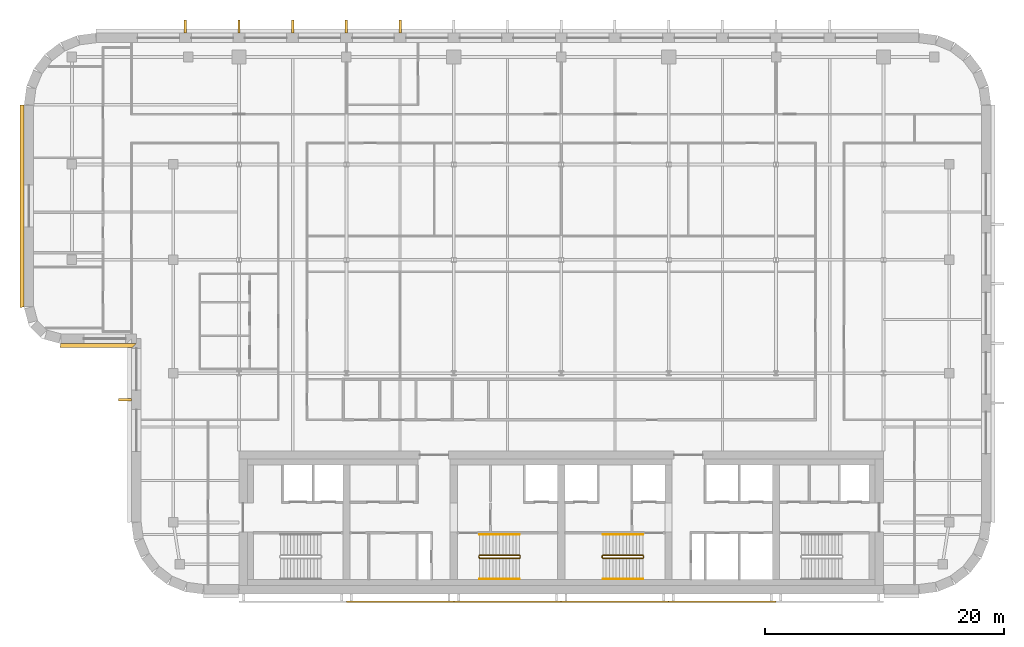
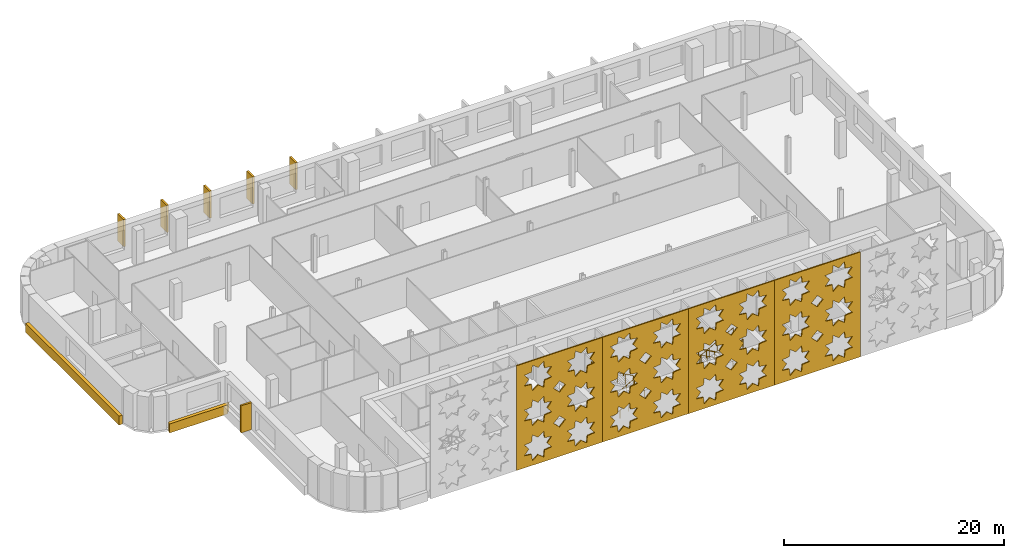
# One storey, part 15 of 18: 12 coverings, 6 railings.
"""IFC4 building model written with IfcOpenShell, lengths in metres."""

from ifc_helpers import new_model, si_unit, direction, frame, origin, origin_2d, place, context, subcontext, project, spatial, polyline, circle, outline, extrude, material, layer, layer_set, type_object, element, save


model = new_model("IFC4")

# Units and contexts
model_context = context("Model", 3, precision=1e-05, world=origin(), true_north=direction((0.0, 1.0)))
body_context = subcontext(model_context, "Body", "Model", "MODEL_VIEW")
ifc_project = project(units=[si_unit("LENGTHUNIT", "METRE"), si_unit("AREAUNIT", "SQUARE_METRE"), si_unit("VOLUMEUNIT", "CUBIC_METRE"), si_unit("PLANEANGLEUNIT", "RADIAN"), si_unit("MASSUNIT", "GRAM", prefix="KILO")], contexts=[model_context])

# Site, building, storey
site_placement = place(None, origin())
site = spatial("IfcSite", under=ifc_project, at=site_placement, CompositionType="ELEMENT")
building_placement = place(site_placement, origin())
building = spatial("IfcBuilding", under=site, at=building_placement, Name="Zellij Exchange Tower", CompositionType="ELEMENT")
storey_placement = place(building_placement, frame((0.0, 0.0, 240.5)))
storey = spatial("IfcBuildingStorey", under=building, at=storey_placement, Name="L56", CompositionType="ELEMENT", Elevation=240.5)

# Railings
ifc_material_1 = material(Name="Stainless steel", Category="steel")
railing_type_1 = type_object("IfcRailingType", Name="CORE-RG stair guard", PredefinedType="GUARDRAIL", material=ifc_material_1)
railing_1_placement = place(storey_placement, frame((-6.89990234375, -10.949951171875, 0.0)))
element("IfcRailing", 1, at=railing_1_placement, inside=storey, type_object=railing_type_1, Name="ST2 stair guard L56", PredefinedType="GUARDRAIL", context=body_context, shape_type="SweptSolid", body=[
    extrude(circle(Radius=0.02392578125, at=origin_2d()), frame((0.0, 0.0, 1.076171875), z_axis=(0.0, 1.0, 0.0), x_axis=(-1.0, 0.0, 0.0)), (0.0, 0.0, 1.0), 0.14990234375),
    extrude(circle(Radius=0.02392578125, at=origin_2d()), frame((0.0, 0.14990234375, 1.076171875), z_axis=(0.193691321961, -0.777613689637, 0.598164376644), x_axis=(0.970351222016, 0.241699205484, 0.0)), (0.0, 0.0, 1.0), 0.257080078125),
    extrude(circle(Radius=0.02392578125, at=origin_2d()), frame((0.0498046875, -0.050048828125, 1.22998046875), z_axis=(0.876421534553, 0.0, 0.481544695509), x_axis=(0.0, 1.0, 0.0)), (0.0, 0.0, 1.0), 3.833984375),
    extrude(circle(Radius=0.02392578125, at=origin_2d()), frame((3.409912109375, -0.050048828125, 3.076171875), z_axis=(0.707106781187, 0.707106781187, 0.0), x_axis=(-0.707106781187, 0.707106781187, 0.0)), (0.0, 0.0, 1.0), 0.07080078125),
    extrude(circle(Radius=0.02392578125, at=origin_2d()), frame((3.4599609375, 0.0, 3.076171875), z_axis=(0.0, 1.0, 0.0), x_axis=(-1.0, 0.0, 0.0)), (0.0, 0.0, 1.0), 0.14990234375),
    extrude(circle(Radius=0.02392578125, at=origin_2d()), frame((3.4599609375, 0.14990234375, 3.076171875), z_axis=(-0.295599637079, 0.295599637079, 0.908428152975), x_axis=(-0.707106781187, -0.707106781187, 0.0)), (0.0, 0.0, 1.0), 0.16943359375),
    extrude(circle(Radius=0.02392578125, at=origin_2d()), frame((3.409912109375, 0.199951171875, 3.22998046875), z_axis=(-0.876421534553, 0.0, 0.481544695509), x_axis=(0.0, -1.0, 0.0)), (0.0, 0.0, 1.0), 3.833984375),
    extrude(circle(Radius=0.02099609375, at=origin_2d()), origin(), (0.0, 0.0, 1.0), 1.052001953125),
    extrude(circle(Radius=0.02099609375, at=origin_2d()), frame((0.0, 0.14990234375, 0.0)), (0.0, 0.0, 1.0), 1.052001953125),
    extrude(circle(Radius=0.02099609375, at=origin_2d()), frame((0.0498046875, -0.050048828125, 0.15380859375)), (0.0, 0.0, 1.0), 1.052001953125),
    extrude(circle(Radius=0.02099609375, at=origin_2d()), frame((0.889892578125, -0.050048828125, 0.615234375)), (0.0, 0.0, 1.0), 1.052001953125),
    extrude(circle(Radius=0.02099609375, at=origin_2d()), frame((1.72998046875, -0.050048828125, 1.076904296875)), (0.0, 0.0, 1.0), 1.052001953125),
    extrude(circle(Radius=0.02099609375, at=origin_2d()), frame((2.56982421875, -0.050048828125, 1.53857421875)), (0.0, 0.0, 1.0), 1.052001953125),
    extrude(circle(Radius=0.02099609375, at=origin_2d()), frame((3.409912109375, -0.050048828125, 2.0)), (0.0, 0.0, 1.0), 1.052001953125),
    extrude(circle(Radius=0.02099609375, at=origin_2d()), frame((3.4599609375, 0.0, 2.0)), (0.0, 0.0, 1.0), 1.052001953125),
    extrude(circle(Radius=0.02099609375, at=origin_2d()), frame((3.4599609375, 0.14990234375, 2.0)), (0.0, 0.0, 1.0), 1.052001953125),
    extrude(circle(Radius=0.02099609375, at=origin_2d()), frame((3.409912109375, 0.199951171875, 2.15380859375)), (0.0, 0.0, 1.0), 1.052001953125),
    extrude(circle(Radius=0.02099609375, at=origin_2d()), frame((2.56982421875, 0.199951171875, 2.615234375)), (0.0, 0.0, 1.0), 1.052001953125),
    extrude(circle(Radius=0.02099609375, at=origin_2d()), frame((1.72998046875, 0.199951171875, 3.076904296875)), (0.0, 0.0, 1.0), 1.052001953125),
    extrude(circle(Radius=0.02099609375, at=origin_2d()), frame((0.889892578125, 0.199951171875, 3.53857421875)), (0.0, 0.0, 1.0), 1.052001953125),
    extrude(circle(Radius=0.02099609375, at=origin_2d()), frame((0.0498046875, 0.199951171875, 4.0)), (0.0, 0.0, 1.0), 1.052001953125),
])
railing_2_placement = place(storey_placement, frame((6.89990234375, -10.800048828125, 0.0)))
element("IfcRailing", 2, at=railing_2_placement, inside=storey, type_object=railing_type_1, Name="ST3 stair guard L56", PredefinedType="GUARDRAIL", context=body_context, shape_type="SweptSolid", body=[
    extrude(circle(Radius=0.02392578125, at=origin_2d()), frame((0.0, 0.0, 1.076171875), z_axis=(0.0, -1.0, 0.0), x_axis=(1.0, 0.0, 0.0)), (0.0, 0.0, 1.0), 0.14990234375),
    extrude(circle(Radius=0.02392578125, at=origin_2d()), frame((0.0, -0.14990234375, 1.076171875), z_axis=(-0.193691321961, 0.777613689637, 0.598164376644), x_axis=(-0.970351222016, -0.241699205484, 0.0)), (0.0, 0.0, 1.0), 0.257080078125),
    extrude(circle(Radius=0.02392578125, at=origin_2d()), frame((-0.0498046875, 0.050048828125, 1.22998046875), z_axis=(-0.876421534553, 0.0, 0.481544695509), x_axis=(0.0, -1.0, 0.0)), (0.0, 0.0, 1.0), 3.833984375),
    extrude(circle(Radius=0.02392578125, at=origin_2d()), frame((-3.409912109375, 0.050048828125, 3.076171875), z_axis=(-0.707106781187, -0.707106781187, 0.0), x_axis=(0.707106781187, -0.707106781187, 0.0)), (0.0, 0.0, 1.0), 0.07080078125),
    extrude(circle(Radius=0.02392578125, at=origin_2d()), frame((-3.4599609375, 0.0, 3.076171875), z_axis=(0.0, -1.0, 0.0), x_axis=(1.0, 0.0, 0.0)), (0.0, 0.0, 1.0), 0.14990234375),
    extrude(circle(Radius=0.02392578125, at=origin_2d()), frame((-3.4599609375, -0.14990234375, 3.076171875), z_axis=(0.295599637079, -0.295599637079, 0.908428152975), x_axis=(0.707106781187, 0.707106781187, 0.0)), (0.0, 0.0, 1.0), 0.16943359375),
    extrude(circle(Radius=0.02392578125, at=origin_2d()), frame((-3.409912109375, -0.199951171875, 3.22998046875), z_axis=(0.876421534553, 0.0, 0.481544695509), x_axis=(0.0, 1.0, 0.0)), (0.0, 0.0, 1.0), 3.833984375),
    extrude(circle(Radius=0.02099609375, at=origin_2d()), origin(), (0.0, 0.0, 1.0), 1.052001953125),
    extrude(circle(Radius=0.02099609375, at=origin_2d()), frame((0.0, -0.14990234375, 0.0)), (0.0, 0.0, 1.0), 1.052001953125),
    extrude(circle(Radius=0.02099609375, at=origin_2d()), frame((-0.0498046875, 0.050048828125, 0.15380859375)), (0.0, 0.0, 1.0), 1.052001953125),
    extrude(circle(Radius=0.02099609375, at=origin_2d()), frame((-0.889892578125, 0.050048828125, 0.615234375)), (0.0, 0.0, 1.0), 1.052001953125),
    extrude(circle(Radius=0.02099609375, at=origin_2d()), frame((-1.72998046875, 0.050048828125, 1.076904296875)), (0.0, 0.0, 1.0), 1.052001953125),
    extrude(circle(Radius=0.02099609375, at=origin_2d()), frame((-2.56982421875, 0.050048828125, 1.53857421875)), (0.0, 0.0, 1.0), 1.052001953125),
    extrude(circle(Radius=0.02099609375, at=origin_2d()), frame((-3.409912109375, 0.050048828125, 2.0)), (0.0, 0.0, 1.0), 1.052001953125),
    extrude(circle(Radius=0.02099609375, at=origin_2d()), frame((-3.4599609375, 0.0, 2.0)), (0.0, 0.0, 1.0), 1.052001953125),
    extrude(circle(Radius=0.02099609375, at=origin_2d()), frame((-3.4599609375, -0.14990234375, 2.0)), (0.0, 0.0, 1.0), 1.052001953125),
    extrude(circle(Radius=0.02099609375, at=origin_2d()), frame((-3.409912109375, -0.199951171875, 2.15380859375)), (0.0, 0.0, 1.0), 1.052001953125),
    extrude(circle(Radius=0.02099609375, at=origin_2d()), frame((-2.56982421875, -0.199951171875, 2.615234375)), (0.0, 0.0, 1.0), 1.052001953125),
    extrude(circle(Radius=0.02099609375, at=origin_2d()), frame((-1.72998046875, -0.199951171875, 3.076904296875)), (0.0, 0.0, 1.0), 1.052001953125),
    extrude(circle(Radius=0.02099609375, at=origin_2d()), frame((-0.889892578125, -0.199951171875, 3.53857421875)), (0.0, 0.0, 1.0), 1.052001953125),
    extrude(circle(Radius=0.02099609375, at=origin_2d()), frame((-0.0498046875, -0.199951171875, 4.0)), (0.0, 0.0, 1.0), 1.052001953125),
])
railing_type_2 = type_object("IfcRailingType", Name="CORE-RH stair handrail", PredefinedType="HANDRAIL", material=ifc_material_1)
railing_3_placement = place(storey_placement, frame((-6.85009765625, -12.75, 0.15380859375)))
element("IfcRailing", 3, at=railing_3_placement, inside=storey, type_object=railing_type_2, Name="ST2 stair handrail L56", PredefinedType="HANDRAIL", context=body_context, shape_type="SweptSolid", body=[
    extrude(circle(Radius=0.02392578125, at=origin_2d()), frame((0.0, 0.0, 0.8759765625), z_axis=(0.876421534553, 0.0, 0.481544695509), x_axis=(0.0, 1.0, 0.0)), (0.0, 0.0, 1.0), 3.833984375),
    extrude(circle(Radius=0.02099609375, at=origin_2d()), origin(), (0.0, 0.0, 1.0), 0.851806640625),
    extrude(circle(Radius=0.02099609375, at=origin_2d()), frame((0.840087890625, 0.0, 0.46142578125)), (0.0, 0.0, 1.0), 0.851806640625),
    extrude(circle(Radius=0.02099609375, at=origin_2d()), frame((1.68017578125, 0.0, 0.923095703125)), (0.0, 0.0, 1.0), 0.851806640625),
    extrude(circle(Radius=0.02099609375, at=origin_2d()), frame((2.52001953125, 0.0, 1.384765625)), (0.0, 0.0, 1.0), 0.851806640625),
    extrude(circle(Radius=0.02099609375, at=origin_2d()), frame((3.360107421875, 0.0, 1.84619140625)), (0.0, 0.0, 1.0), 0.851806640625),
])
for number, where, name in (
    (4, (-3.489990234375, -9.0, 2.15380859375), "ST2 stair handrail L56"),
    (5, (6.85009765625, -9.0, 0.15380859375), "ST3 stair handrail L56"),
):
    element("IfcRailing", number, at=place(storey_placement, frame(where)), inside=storey, type_object=railing_type_2, Name=name, PredefinedType="HANDRAIL", context=body_context, shape_type="SweptSolid", body=[
        extrude(circle(Radius=0.02392578125, at=origin_2d()), frame((0.0, 0.0, 0.8759765625), z_axis=(-0.876421534553, 0.0, 0.481544695509), x_axis=(0.0, -1.0, 0.0)), (0.0, 0.0, 1.0), 3.833984375),
        extrude(circle(Radius=0.02099609375, at=origin_2d()), origin(), (0.0, 0.0, 1.0), 0.851806640625),
        extrude(circle(Radius=0.02099609375, at=origin_2d()), frame((-0.840087890625, 0.0, 0.46142578125)), (0.0, 0.0, 1.0), 0.851806640625),
        extrude(circle(Radius=0.02099609375, at=origin_2d()), frame((-1.68017578125, 0.0, 0.923095703125)), (0.0, 0.0, 1.0), 0.851806640625),
        extrude(circle(Radius=0.02099609375, at=origin_2d()), frame((-2.52001953125, 0.0, 1.384765625)), (0.0, 0.0, 1.0), 0.851806640625),
        extrude(circle(Radius=0.02099609375, at=origin_2d()), frame((-3.360107421875, 0.0, 1.84619140625)), (0.0, 0.0, 1.0), 0.851806640625),
    ])
railing_4_placement = place(storey_placement, frame((3.489990234375, -12.75, 2.15380859375)))
element("IfcRailing", 6, at=railing_4_placement, inside=storey, type_object=railing_type_2, Name="ST3 stair handrail L56", PredefinedType="HANDRAIL", context=body_context, shape_type="SweptSolid", body=[
    extrude(circle(Radius=0.02392578125, at=origin_2d()), frame((0.0, 0.0, 0.8759765625), z_axis=(0.876421534553, 0.0, 0.481544695509), x_axis=(0.0, 1.0, 0.0)), (0.0, 0.0, 1.0), 3.833984375),
    extrude(circle(Radius=0.02099609375, at=origin_2d()), origin(), (0.0, 0.0, 1.0), 0.851806640625),
    extrude(circle(Radius=0.02099609375, at=origin_2d()), frame((0.840087890625, 0.0, 0.46142578125)), (0.0, 0.0, 1.0), 0.851806640625),
    extrude(circle(Radius=0.02099609375, at=origin_2d()), frame((1.68017578125, 0.0, 0.923095703125)), (0.0, 0.0, 1.0), 0.851806640625),
    extrude(circle(Radius=0.02099609375, at=origin_2d()), frame((2.52001953125, 0.0, 1.384765625)), (0.0, 0.0, 1.0), 0.851806640625),
    extrude(circle(Radius=0.02099609375, at=origin_2d()), frame((3.360107421875, 0.0, 1.84619140625)), (0.0, 0.0, 1.0), 0.851806640625),
])

# Coverings
ifc_material_2 = material(Name="Limestone cladding", Category="masonry")
ifc_layer_1 = layer(ifc_material_2, 0.35009765625)
ifc_layer_set_1 = layer_set([ifc_layer_1], Name="Limestone cladding")
covering_type_1 = type_object("IfcCoveringType", Name="ENV-CV10 Stone spandrel band 350", PredefinedType="CLADDING", material=ifc_layer_set_1)
covering_1_placement = place(storey_placement, frame((0.0, 0.0, -0.199951171875)))
element("IfcCovering", 7, at=covering_1_placement, inside=storey, type_object=covering_type_1, Name="Stone spandrel band", PredefinedType="CLADDING", context=body_context, shape_type="SweptSolid", body=[
    extrude(outline(polyline([(-45.0, 26.973876953125), (-45.0, 10.052734375), (-45.35009765625, 10.006591796875), (-45.35009765625, 26.99658203125), (-45.0, 26.973876953125)])), origin(), (0.0, 0.0, 1.0), 1.0),
])
covering_2_placement = place(storey_placement, frame((0.0, 0.0, -0.199951171875)))
element("IfcCovering", 8, at=covering_2_placement, inside=storey, type_object=covering_type_1, Name="Stone spandrel band", PredefinedType="CLADDING", context=body_context, shape_type="SweptSolid", body=[
    extrude(outline(polyline([(-41.947265625, 7.0), (-35.60009765625, 7.0), (-35.949951171875, 6.64990234375), (-41.993408203125, 6.64990234375), (-41.947265625, 7.0)])), origin(), (0.0, 0.0, 1.0), 1.0),
])
covering_type_2 = type_object("IfcCoveringType", Name="ENV-CV6 Stone pier 200x1100", PredefinedType="CLADDING", material=ifc_material_2)
covering_3_placement = place(storey_placement, frame((0.0, 0.0, 0.800048828125)))
element("IfcCovering", 9, at=covering_3_placement, inside=storey, type_object=covering_type_2, Name="Stone pier", PredefinedType="CLADDING", context=body_context, shape_type="SweptSolid", body=[
    extrude(outline(polyline([(-13.39990234375, 33.0), (-13.60009765625, 33.0), (-13.60009765625, 34.10009765625), (-13.39990234375, 34.10009765625), (-13.39990234375, 33.0)])), origin(), (0.0, 0.0, 1.0), 3.0),
])
covering_4_placement = place(storey_placement, frame((0.0, 0.0, 0.800048828125)))
element("IfcCovering", 10, at=covering_4_placement, inside=storey, type_object=covering_type_2, Name="Stone pier", PredefinedType="CLADDING", context=body_context, shape_type="SweptSolid", body=[
    extrude(outline(polyline([(-17.89990234375, 33.0), (-18.10009765625, 33.0), (-18.10009765625, 34.10009765625), (-17.89990234375, 34.10009765625), (-17.89990234375, 33.0)])), origin(), (0.0, 0.0, 1.0), 3.0),
])
covering_5_placement = place(storey_placement, frame((0.0, 0.0, 0.800048828125)))
element("IfcCovering", 11, at=covering_5_placement, inside=storey, type_object=covering_type_2, Name="Stone pier", PredefinedType="CLADDING", context=body_context, shape_type="SweptSolid", body=[
    extrude(outline(polyline([(-22.39990234375, 33.0), (-22.60009765625, 33.0), (-22.60009765625, 34.10009765625), (-22.39990234375, 34.10009765625), (-22.39990234375, 33.0)])), origin(), (0.0, 0.0, 1.0), 3.0),
])
covering_6_placement = place(storey_placement, frame((0.0, 0.0, 0.800048828125)))
element("IfcCovering", 12, at=covering_6_placement, inside=storey, type_object=covering_type_2, Name="Stone pier", PredefinedType="CLADDING", context=body_context, shape_type="SweptSolid", body=[
    extrude(outline(polyline([(-26.89990234375, 33.0), (-27.10009765625, 33.0), (-27.10009765625, 34.10009765625), (-26.89990234375, 34.10009765625), (-26.89990234375, 33.0)])), origin(), (0.0, 0.0, 1.0), 3.0),
])
covering_7_placement = place(storey_placement, frame((0.0, 0.0, 0.800048828125)))
element("IfcCovering", 13, at=covering_7_placement, inside=storey, type_object=covering_type_2, Name="Stone pier", PredefinedType="CLADDING", context=body_context, shape_type="SweptSolid", body=[
    extrude(outline(polyline([(-31.39990234375, 33.0), (-31.60009765625, 33.0), (-31.60009765625, 34.10009765625), (-31.39990234375, 34.10009765625), (-31.39990234375, 33.0)])), origin(), (0.0, 0.0, 1.0), 3.0),
])
covering_8_placement = place(storey_placement, frame((0.0, 0.0, 0.800048828125)))
element("IfcCovering", 14, at=covering_8_placement, inside=storey, type_object=covering_type_2, Name="Stone pier", PredefinedType="CLADDING", context=body_context, shape_type="SweptSolid", body=[
    extrude(outline(polyline([(-36.0, 2.37548828125), (-36.0, 2.17529296875), (-37.10009765625, 2.17529296875), (-37.10009765625, 2.37548828125), (-36.0, 2.37548828125)])), origin(), (0.0, 0.0, 1.0), 3.0),
])
ifc_material_3 = material(Name="Limestone screen", Category="masonry")
ifc_layer_2 = layer(ifc_material_3, 0.1201171875)
ifc_layer_set_2 = layer_set([ifc_layer_2], Name="Limestone screen")
covering_type_3 = type_object("IfcCoveringType", Name="ENV-SC5 Pierced stone relief 120", PredefinedType="USERDEFINED", material=ifc_layer_set_2)
covering_9_placement = place(storey_placement, frame((-18.0, -14.659912109375, 0.199951171875), z_axis=(0.0, 0.0, 1.0), x_axis=(1.0, 0.0, 0.0)))
element("IfcCovering", 15, at=covering_9_placement, inside=storey, type_object=covering_type_3, Name="Pierced stone relief", ObjectType="SCREEN", PredefinedType="USERDEFINED", context=body_context, shape_type="SweptSolid", body=[
    extrude(outline(polyline([(0.0, 0.0), (9.0, 0.0), (9.0, 11.60009765625), (0.0, 11.60009765625), (0.0, 0.0)]), holes=[polyline([(3.678955078125, 2.525146484375), (2.927978515625, 2.611328125), (2.841796875, 3.3623046875), (2.25, 2.892333984375), (1.658203125, 3.3623046875), (1.572021484375, 2.611328125), (0.821044921875, 2.525146484375), (1.291015625, 1.933349609375), (0.821044921875, 1.34130859375), (1.572021484375, 1.25537109375), (1.658203125, 0.50439453125), (2.25, 0.974365234375), (2.841796875, 0.50439453125), (2.927978515625, 1.25537109375), (3.678955078125, 1.34130859375), (3.208984375, 1.933349609375), (3.678955078125, 2.525146484375)]), polyline([(3.678955078125, 6.391845703125), (2.927978515625, 6.47802734375), (2.841796875, 7.22900390625), (2.25, 6.7587890625), (1.658203125, 7.22900390625), (1.572021484375, 6.47802734375), (0.821044921875, 6.391845703125), (1.291015625, 5.800048828125), (0.821044921875, 5.2080078125), (1.572021484375, 5.121826171875), (1.658203125, 4.37109375), (2.25, 4.841064453125), (2.841796875, 4.37109375), (2.927978515625, 5.121826171875), (3.678955078125, 5.2080078125), (3.208984375, 5.800048828125), (3.678955078125, 6.391845703125)]), polyline([(3.678955078125, 10.258544921875), (2.927978515625, 10.3447265625), (2.841796875, 11.095703125), (2.25, 10.62548828125), (1.658203125, 11.095703125), (1.572021484375, 10.3447265625), (0.821044921875, 10.258544921875), (1.291015625, 9.666748046875), (0.821044921875, 9.07470703125), (1.572021484375, 8.988525390625), (1.658203125, 8.23779296875), (2.25, 8.707763671875), (2.841796875, 8.23779296875), (2.927978515625, 8.988525390625), (3.678955078125, 9.07470703125), (3.208984375, 9.666748046875), (3.678955078125, 10.258544921875)]), polyline([(8.178955078125, 2.525146484375), (7.427978515625, 2.611328125), (7.341796875, 3.3623046875), (6.75, 2.892333984375), (6.158203125, 3.3623046875), (6.072021484375, 2.611328125), (5.321044921875, 2.525146484375), (5.791015625, 1.933349609375), (5.321044921875, 1.34130859375), (6.072021484375, 1.25537109375), (6.158203125, 0.50439453125), (6.75, 0.974365234375), (7.341796875, 0.50439453125), (7.427978515625, 1.25537109375), (8.178955078125, 1.34130859375), (7.708984375, 1.933349609375), (8.178955078125, 2.525146484375)]), polyline([(8.178955078125, 6.391845703125), (7.427978515625, 6.47802734375), (7.341796875, 7.22900390625), (6.75, 6.7587890625), (6.158203125, 7.22900390625), (6.072021484375, 6.47802734375), (5.321044921875, 6.391845703125), (5.791015625, 5.800048828125), (5.321044921875, 5.2080078125), (6.072021484375, 5.121826171875), (6.158203125, 4.37109375), (6.75, 4.841064453125), (7.341796875, 4.37109375), (7.427978515625, 5.121826171875), (8.178955078125, 5.2080078125), (7.708984375, 5.800048828125), (8.178955078125, 6.391845703125)]), polyline([(8.178955078125, 10.258544921875), (7.427978515625, 10.3447265625), (7.341796875, 11.095703125), (6.75, 10.62548828125), (6.158203125, 11.095703125), (6.072021484375, 10.3447265625), (5.321044921875, 10.258544921875), (5.791015625, 9.666748046875), (5.321044921875, 9.07470703125), (6.072021484375, 8.988525390625), (6.158203125, 8.23779296875), (6.75, 8.707763671875), (7.341796875, 8.23779296875), (7.427978515625, 8.988525390625), (8.178955078125, 9.07470703125), (7.708984375, 9.666748046875), (8.178955078125, 10.258544921875)]), polyline([(5.11865234375, 3.86669921875), (4.5, 4.4853515625), (3.88134765625, 3.86669921875), (4.5, 3.248046875), (5.11865234375, 3.86669921875)]), polyline([(5.11865234375, 7.7333984375), (4.5, 8.35205078125), (3.88134765625, 7.7333984375), (4.5, 7.11474609375), (5.11865234375, 7.7333984375)])]), frame((0.0, 0.06005859375, 0.0), z_axis=(0.0, -1.0, 0.0), x_axis=(1.0, 0.0, 0.0)), (0.0, 0.0, 1.0), 0.1201171875),
])
covering_10_placement = place(storey_placement, frame((-9.0, -14.659912109375, 0.199951171875), z_axis=(0.0, 0.0, 1.0), x_axis=(1.0, 0.0, 0.0)))
element("IfcCovering", 16, at=covering_10_placement, inside=storey, type_object=covering_type_3, Name="Pierced stone relief", ObjectType="SCREEN", PredefinedType="USERDEFINED", context=body_context, shape_type="SweptSolid", body=[
    extrude(outline(polyline([(0.0, 0.0), (9.0, 0.0), (9.0, 11.60009765625), (0.0, 11.60009765625), (0.0, 0.0)]), holes=[polyline([(3.678955078125, 2.525146484375), (2.927978515625, 2.611328125), (2.841796875, 3.3623046875), (2.25, 2.892333984375), (1.658203125, 3.3623046875), (1.572021484375, 2.611328125), (0.821044921875, 2.525146484375), (1.291015625, 1.933349609375), (0.821044921875, 1.34130859375), (1.572021484375, 1.25537109375), (1.658203125, 0.50439453125), (2.25, 0.974365234375), (2.841796875, 0.50439453125), (2.927978515625, 1.25537109375), (3.678955078125, 1.34130859375), (3.208984375, 1.933349609375), (3.678955078125, 2.525146484375)]), polyline([(3.678955078125, 6.391845703125), (2.927978515625, 6.47802734375), (2.841796875, 7.22900390625), (2.25, 6.7587890625), (1.658203125, 7.22900390625), (1.572021484375, 6.47802734375), (0.821044921875, 6.391845703125), (1.291015625, 5.800048828125), (0.821044921875, 5.2080078125), (1.572021484375, 5.121826171875), (1.658203125, 4.37109375), (2.25, 4.841064453125), (2.841796875, 4.37109375), (2.927978515625, 5.121826171875), (3.678955078125, 5.2080078125), (3.208984375, 5.800048828125), (3.678955078125, 6.391845703125)]), polyline([(3.678955078125, 10.258544921875), (2.927978515625, 10.3447265625), (2.841796875, 11.095703125), (2.25, 10.62548828125), (1.658203125, 11.095703125), (1.572021484375, 10.3447265625), (0.821044921875, 10.258544921875), (1.291015625, 9.666748046875), (0.821044921875, 9.07470703125), (1.572021484375, 8.988525390625), (1.658203125, 8.23779296875), (2.25, 8.707763671875), (2.841796875, 8.23779296875), (2.927978515625, 8.988525390625), (3.678955078125, 9.07470703125), (3.208984375, 9.666748046875), (3.678955078125, 10.258544921875)]), polyline([(8.178955078125, 2.525146484375), (7.427978515625, 2.611328125), (7.341796875, 3.3623046875), (6.75, 2.892333984375), (6.158203125, 3.3623046875), (6.072021484375, 2.611328125), (5.321044921875, 2.525146484375), (5.791015625, 1.933349609375), (5.321044921875, 1.34130859375), (6.072021484375, 1.25537109375), (6.158203125, 0.50439453125), (6.75, 0.974365234375), (7.341796875, 0.50439453125), (7.427978515625, 1.25537109375), (8.178955078125, 1.34130859375), (7.708984375, 1.933349609375), (8.178955078125, 2.525146484375)]), polyline([(8.178955078125, 6.391845703125), (7.427978515625, 6.47802734375), (7.341796875, 7.22900390625), (6.75, 6.7587890625), (6.158203125, 7.22900390625), (6.072021484375, 6.47802734375), (5.321044921875, 6.391845703125), (5.791015625, 5.800048828125), (5.321044921875, 5.2080078125), (6.072021484375, 5.121826171875), (6.158203125, 4.37109375), (6.75, 4.841064453125), (7.341796875, 4.37109375), (7.427978515625, 5.121826171875), (8.178955078125, 5.2080078125), (7.708984375, 5.800048828125), (8.178955078125, 6.391845703125)]), polyline([(8.178955078125, 10.258544921875), (7.427978515625, 10.3447265625), (7.341796875, 11.095703125), (6.75, 10.62548828125), (6.158203125, 11.095703125), (6.072021484375, 10.3447265625), (5.321044921875, 10.258544921875), (5.791015625, 9.666748046875), (5.321044921875, 9.07470703125), (6.072021484375, 8.988525390625), (6.158203125, 8.23779296875), (6.75, 8.707763671875), (7.341796875, 8.23779296875), (7.427978515625, 8.988525390625), (8.178955078125, 9.07470703125), (7.708984375, 9.666748046875), (8.178955078125, 10.258544921875)]), polyline([(5.11865234375, 3.86669921875), (4.5, 4.4853515625), (3.88134765625, 3.86669921875), (4.5, 3.248046875), (5.11865234375, 3.86669921875)]), polyline([(5.11865234375, 7.7333984375), (4.5, 8.35205078125), (3.88134765625, 7.7333984375), (4.5, 7.11474609375), (5.11865234375, 7.7333984375)])]), frame((0.0, 0.06005859375, 0.0), z_axis=(0.0, -1.0, 0.0), x_axis=(1.0, 0.0, 0.0)), (0.0, 0.0, 1.0), 0.1201171875),
])
covering_11_placement = place(storey_placement, frame((0.0, -14.659912109375, 0.199951171875), z_axis=(0.0, 0.0, 1.0), x_axis=(1.0, 0.0, 0.0)))
element("IfcCovering", 17, at=covering_11_placement, inside=storey, type_object=covering_type_3, Name="Pierced stone relief", ObjectType="SCREEN", PredefinedType="USERDEFINED", context=body_context, shape_type="SweptSolid", body=[
    extrude(outline(polyline([(0.0, 0.0), (9.0, 0.0), (9.0, 11.60009765625), (0.0, 11.60009765625), (0.0, 0.0)]), holes=[polyline([(3.678955078125, 2.525146484375), (2.927978515625, 2.611328125), (2.841796875, 3.3623046875), (2.25, 2.892333984375), (1.658203125, 3.3623046875), (1.572021484375, 2.611328125), (0.821044921875, 2.525146484375), (1.291015625, 1.933349609375), (0.821044921875, 1.34130859375), (1.572021484375, 1.25537109375), (1.658203125, 0.50439453125), (2.25, 0.974365234375), (2.841796875, 0.50439453125), (2.927978515625, 1.25537109375), (3.678955078125, 1.34130859375), (3.208984375, 1.933349609375), (3.678955078125, 2.525146484375)]), polyline([(3.678955078125, 6.391845703125), (2.927978515625, 6.47802734375), (2.841796875, 7.22900390625), (2.25, 6.7587890625), (1.658203125, 7.22900390625), (1.572021484375, 6.47802734375), (0.821044921875, 6.391845703125), (1.291015625, 5.800048828125), (0.821044921875, 5.2080078125), (1.572021484375, 5.121826171875), (1.658203125, 4.37109375), (2.25, 4.841064453125), (2.841796875, 4.37109375), (2.927978515625, 5.121826171875), (3.678955078125, 5.2080078125), (3.208984375, 5.800048828125), (3.678955078125, 6.391845703125)]), polyline([(3.678955078125, 10.258544921875), (2.927978515625, 10.3447265625), (2.841796875, 11.095703125), (2.25, 10.62548828125), (1.658203125, 11.095703125), (1.572021484375, 10.3447265625), (0.821044921875, 10.258544921875), (1.291015625, 9.666748046875), (0.821044921875, 9.07470703125), (1.572021484375, 8.988525390625), (1.658203125, 8.23779296875), (2.25, 8.707763671875), (2.841796875, 8.23779296875), (2.927978515625, 8.988525390625), (3.678955078125, 9.07470703125), (3.208984375, 9.666748046875), (3.678955078125, 10.258544921875)]), polyline([(8.178955078125, 2.525146484375), (7.427978515625, 2.611328125), (7.341796875, 3.3623046875), (6.75, 2.892333984375), (6.158203125, 3.3623046875), (6.072021484375, 2.611328125), (5.321044921875, 2.525146484375), (5.791015625, 1.933349609375), (5.321044921875, 1.34130859375), (6.072021484375, 1.25537109375), (6.158203125, 0.50439453125), (6.75, 0.974365234375), (7.341796875, 0.50439453125), (7.427978515625, 1.25537109375), (8.178955078125, 1.34130859375), (7.708984375, 1.933349609375), (8.178955078125, 2.525146484375)]), polyline([(8.178955078125, 6.391845703125), (7.427978515625, 6.47802734375), (7.341796875, 7.22900390625), (6.75, 6.7587890625), (6.158203125, 7.22900390625), (6.072021484375, 6.47802734375), (5.321044921875, 6.391845703125), (5.791015625, 5.800048828125), (5.321044921875, 5.2080078125), (6.072021484375, 5.121826171875), (6.158203125, 4.37109375), (6.75, 4.841064453125), (7.341796875, 4.37109375), (7.427978515625, 5.121826171875), (8.178955078125, 5.2080078125), (7.708984375, 5.800048828125), (8.178955078125, 6.391845703125)]), polyline([(8.178955078125, 10.258544921875), (7.427978515625, 10.3447265625), (7.341796875, 11.095703125), (6.75, 10.62548828125), (6.158203125, 11.095703125), (6.072021484375, 10.3447265625), (5.321044921875, 10.258544921875), (5.791015625, 9.666748046875), (5.321044921875, 9.07470703125), (6.072021484375, 8.988525390625), (6.158203125, 8.23779296875), (6.75, 8.707763671875), (7.341796875, 8.23779296875), (7.427978515625, 8.988525390625), (8.178955078125, 9.07470703125), (7.708984375, 9.666748046875), (8.178955078125, 10.258544921875)]), polyline([(5.11865234375, 3.86669921875), (4.5, 4.4853515625), (3.88134765625, 3.86669921875), (4.5, 3.248046875), (5.11865234375, 3.86669921875)]), polyline([(5.11865234375, 7.7333984375), (4.5, 8.35205078125), (3.88134765625, 7.7333984375), (4.5, 7.11474609375), (5.11865234375, 7.7333984375)])]), frame((0.0, 0.06005859375, 0.0), z_axis=(0.0, -1.0, 0.0), x_axis=(1.0, 0.0, 0.0)), (0.0, 0.0, 1.0), 0.1201171875),
])
covering_12_placement = place(storey_placement, frame((9.0, -14.659912109375, 0.199951171875), z_axis=(0.0, 0.0, 1.0), x_axis=(1.0, 0.0, 0.0)))
element("IfcCovering", 18, at=covering_12_placement, inside=storey, type_object=covering_type_3, Name="Pierced stone relief", ObjectType="SCREEN", PredefinedType="USERDEFINED", context=body_context, shape_type="SweptSolid", body=[
    extrude(outline(polyline([(0.0, 0.0), (9.0, 0.0), (9.0, 11.60009765625), (0.0, 11.60009765625), (0.0, 0.0)]), holes=[polyline([(3.678955078125, 2.525146484375), (2.927978515625, 2.611328125), (2.841796875, 3.3623046875), (2.25, 2.892333984375), (1.658203125, 3.3623046875), (1.572021484375, 2.611328125), (0.821044921875, 2.525146484375), (1.291015625, 1.933349609375), (0.821044921875, 1.34130859375), (1.572021484375, 1.25537109375), (1.658203125, 0.50439453125), (2.25, 0.974365234375), (2.841796875, 0.50439453125), (2.927978515625, 1.25537109375), (3.678955078125, 1.34130859375), (3.208984375, 1.933349609375), (3.678955078125, 2.525146484375)]), polyline([(3.678955078125, 6.391845703125), (2.927978515625, 6.47802734375), (2.841796875, 7.22900390625), (2.25, 6.7587890625), (1.658203125, 7.22900390625), (1.572021484375, 6.47802734375), (0.821044921875, 6.391845703125), (1.291015625, 5.800048828125), (0.821044921875, 5.2080078125), (1.572021484375, 5.121826171875), (1.658203125, 4.37109375), (2.25, 4.841064453125), (2.841796875, 4.37109375), (2.927978515625, 5.121826171875), (3.678955078125, 5.2080078125), (3.208984375, 5.800048828125), (3.678955078125, 6.391845703125)]), polyline([(3.678955078125, 10.258544921875), (2.927978515625, 10.3447265625), (2.841796875, 11.095703125), (2.25, 10.62548828125), (1.658203125, 11.095703125), (1.572021484375, 10.3447265625), (0.821044921875, 10.258544921875), (1.291015625, 9.666748046875), (0.821044921875, 9.07470703125), (1.572021484375, 8.988525390625), (1.658203125, 8.23779296875), (2.25, 8.707763671875), (2.841796875, 8.23779296875), (2.927978515625, 8.988525390625), (3.678955078125, 9.07470703125), (3.208984375, 9.666748046875), (3.678955078125, 10.258544921875)]), polyline([(8.178955078125, 2.525146484375), (7.427978515625, 2.611328125), (7.341796875, 3.3623046875), (6.75, 2.892333984375), (6.158203125, 3.3623046875), (6.072021484375, 2.611328125), (5.321044921875, 2.525146484375), (5.791015625, 1.933349609375), (5.321044921875, 1.34130859375), (6.072021484375, 1.25537109375), (6.158203125, 0.50439453125), (6.75, 0.974365234375), (7.341796875, 0.50439453125), (7.427978515625, 1.25537109375), (8.178955078125, 1.34130859375), (7.708984375, 1.933349609375), (8.178955078125, 2.525146484375)]), polyline([(8.178955078125, 6.391845703125), (7.427978515625, 6.47802734375), (7.341796875, 7.22900390625), (6.75, 6.7587890625), (6.158203125, 7.22900390625), (6.072021484375, 6.47802734375), (5.321044921875, 6.391845703125), (5.791015625, 5.800048828125), (5.321044921875, 5.2080078125), (6.072021484375, 5.121826171875), (6.158203125, 4.37109375), (6.75, 4.841064453125), (7.341796875, 4.37109375), (7.427978515625, 5.121826171875), (8.178955078125, 5.2080078125), (7.708984375, 5.800048828125), (8.178955078125, 6.391845703125)]), polyline([(8.178955078125, 10.258544921875), (7.427978515625, 10.3447265625), (7.341796875, 11.095703125), (6.75, 10.62548828125), (6.158203125, 11.095703125), (6.072021484375, 10.3447265625), (5.321044921875, 10.258544921875), (5.791015625, 9.666748046875), (5.321044921875, 9.07470703125), (6.072021484375, 8.988525390625), (6.158203125, 8.23779296875), (6.75, 8.707763671875), (7.341796875, 8.23779296875), (7.427978515625, 8.988525390625), (8.178955078125, 9.07470703125), (7.708984375, 9.666748046875), (8.178955078125, 10.258544921875)]), polyline([(5.11865234375, 3.86669921875), (4.5, 4.4853515625), (3.88134765625, 3.86669921875), (4.5, 3.248046875), (5.11865234375, 3.86669921875)]), polyline([(5.11865234375, 7.7333984375), (4.5, 8.35205078125), (3.88134765625, 7.7333984375), (4.5, 7.11474609375), (5.11865234375, 7.7333984375)])]), frame((0.0, 0.06005859375, 0.0), z_axis=(0.0, -1.0, 0.0), x_axis=(1.0, 0.0, 0.0)), (0.0, 0.0, 1.0), 0.1201171875),
])

save(model, "model.ifc")
